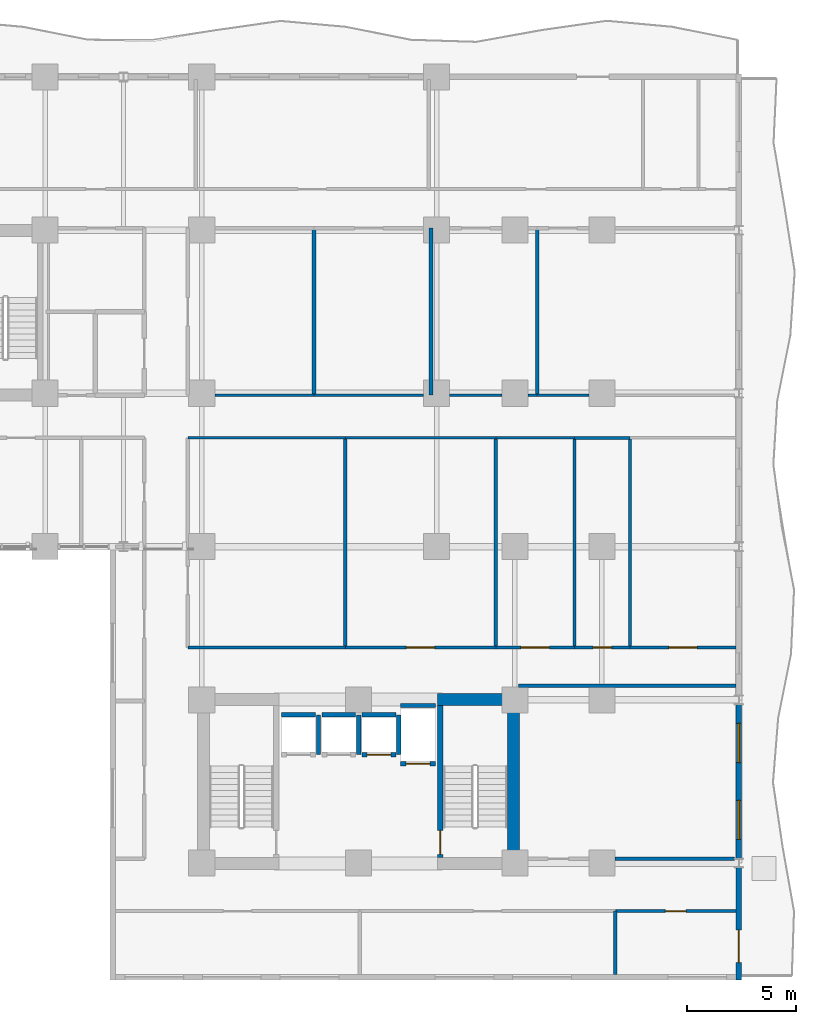
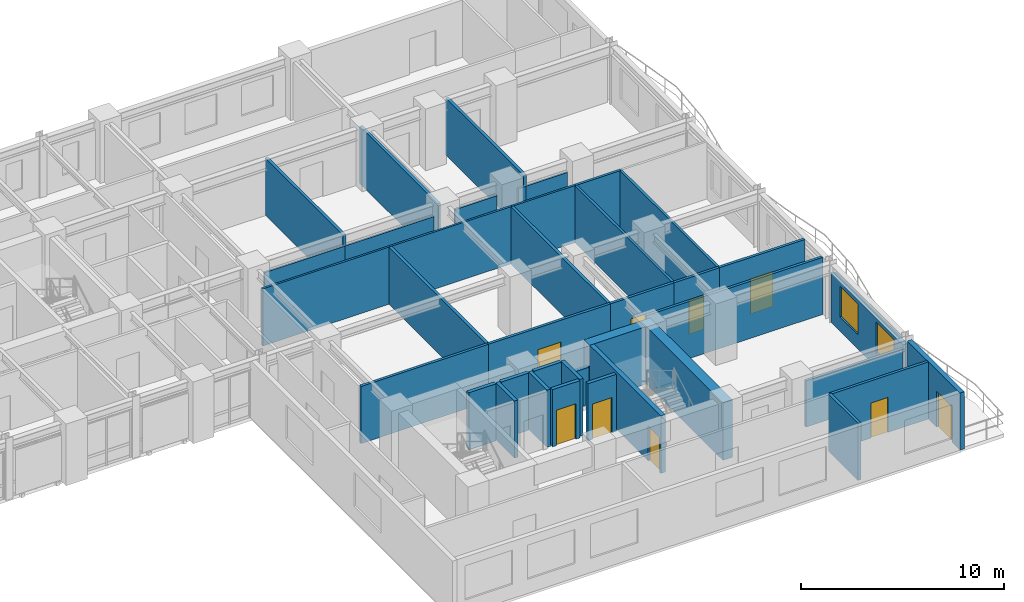
# One storey, part 10 of 16: 39 walls, 9 doors, 2 windows, 11 openings.
"""IFC4 building model written with IfcOpenShell, lengths in metres."""

import ifcopenshell
import ifcopenshell.guid

model = None  # the IFC model being written
_history = None  # IfcOwnerHistory: only IFC2X3 demands one
_inside = {}  # id of a spatial element -> (the spatial element, [elements in it])
_under = {}  # id of a project, library or spatial element -> (it, [spatial elements below it])
_declared = {}  # id of a project -> (the project, [libraries it declares])
_typed = {}  # id of a type object -> (the type object, [elements of that type])
_made_of = {}  # id of a material, layer set ... -> (it, [elements and type objects made of it])


def new_model(schema):
    """Start an empty IFC model of exactly this schema.

    Asked for "IFC4X3", IfcOpenShell would pick the latest addendum, in which some entities
    have other attributes; the version numbers below select the first issue.
    IFC2X3 requires an IfcOwnerHistory on every rooted entity: one is made here for all.
    """
    global model, _history
    if schema == "IFC4X3":
        model = ifcopenshell.file(schema_version=(4, 3, 0, 0))
    else:
        model = ifcopenshell.file(schema=schema)
    _inside.clear()
    _under.clear()
    _declared.clear()
    _typed.clear()
    _made_of.clear()
    _history = None
    if model.schema == "IFC2X3":
        org = make("IfcOrganization", Name="unknown")
        user = make(
            "IfcPersonAndOrganization",
            ThePerson=make("IfcPerson", FamilyName="unknown"),
            TheOrganization=org,
        )
        app = make(
            "IfcApplication",
            ApplicationDeveloper=org,
            Version="unknown",
            ApplicationFullName="unknown",
            ApplicationIdentifier="unknown",
        )
        _history = make(
            "IfcOwnerHistory",
            OwningUser=user,
            OwningApplication=app,
            ChangeAction="ADDED",
            CreationDate=0,
        )
    return model


def make(cls, **values):
    """One entity of the class cls with the attributes given. An attribute that is None is left unset."""
    return model.create_entity(
        cls, **{name: value for name, value in values.items() if value is not None}
    )


def rooted(cls, **values):
    """An entity with a GlobalId (a new one), such as an element, a storey or a relation."""
    return make(cls, GlobalId=ifcopenshell.guid.new(), OwnerHistory=_history, **values)


def si_unit(unit_type, name, prefix=None):
    """IfcSIUnit, for example si_unit("LENGTHUNIT", "METRE", prefix="MILLI")."""
    return make("IfcSIUnit", UnitType=unit_type, Prefix=prefix, Name=name)


def assignment(units):
    """IfcUnitAssignment: the units of a project."""
    return None if units is None else make("IfcUnitAssignment", Units=units)


def point(xyz):
    """IfcCartesianPoint."""
    return None if xyz is None else make("IfcCartesianPoint", Coordinates=xyz)


def direction(xyz):
    """IfcDirection."""
    return None if xyz is None else make("IfcDirection", DirectionRatios=xyz)


def frame(location, z_axis=None, x_axis=None):
    """IfcAxis2Placement3D, a coordinate frame: its origin and axes. An axis left out is left unset."""
    return make(
        "IfcAxis2Placement3D",
        Location=point(location),
        Axis=direction(z_axis),
        RefDirection=direction(x_axis),
    )


def frame_2d(location, x_axis=None):
    """IfcAxis2Placement2D, a coordinate frame in the plane: its origin and x axis."""
    return make(
        "IfcAxis2Placement2D", Location=point(location), RefDirection=direction(x_axis)
    )


def origin():
    """The frame at (0, 0, 0) with its axes left unset."""
    return frame((0.0, 0.0, 0.0))


def place(relative_to, where):
    """IfcLocalPlacement: puts the frame where relative to a parent placement (None: the world)."""
    return make(
        "IfcLocalPlacement", PlacementRelTo=relative_to, RelativePlacement=where
    )


def context(
    kind, dimensions, precision=None, world=None, true_north=None, identifier=None
):
    """IfcGeometricRepresentationContext, for example the 3D "Model" context."""
    return make(
        "IfcGeometricRepresentationContext",
        ContextIdentifier=identifier,
        ContextType=kind,
        CoordinateSpaceDimension=dimensions,
        Precision=precision,
        WorldCoordinateSystem=world,
        TrueNorth=true_north,
    )


def subcontext(parent, identifier, kind, view, scale=None):
    """IfcGeometricRepresentationSubContext, for example "Body" below "Model"."""
    return make(
        "IfcGeometricRepresentationSubContext",
        ContextIdentifier=identifier,
        ContextType=kind,
        ParentContext=parent,
        TargetScale=scale,
        TargetView=view,
    )


def project(units=None, contexts=None):
    """IfcProject with its units and contexts."""
    return rooted(
        "IfcProject",
        Name="project",
        RepresentationContexts=contexts,
        UnitsInContext=assignment(units),
    )


def spatial(cls, under=None, at=None, **own):
    """A site, building, storey or space (cls), placed at a placement, below another one or the project."""
    s = rooted(cls, ObjectPlacement=at, **own)
    if under is not None:
        _under.setdefault(under.id(), (under, []))[1].append(s)
    return s


def profile(cls, at=None, kind="AREA", **sizes):
    """A parametric profile (cls). Its sizes go by their IFC names, for example OverallWidth=200.0."""
    return make(cls, ProfileType=kind, Position=at, **sizes)


def rectangle(**sizes):
    """IfcRectangleProfileDef."""
    return profile("IfcRectangleProfileDef", **sizes)


def extrude(swept, where, along, depth):
    """IfcExtrudedAreaSolid: the profile swept, set in the frame where, extruded along a direction by depth."""
    return make(
        "IfcExtrudedAreaSolid",
        SweptArea=swept,
        Position=where,
        ExtrudedDirection=direction(along),
        Depth=depth,
    )


def shape(context_of_items, identifier, shape_type, items):
    """IfcShapeRepresentation: the items that make up one representation, for example the "Body"."""
    return make(
        "IfcShapeRepresentation",
        ContextOfItems=context_of_items,
        RepresentationIdentifier=identifier,
        RepresentationType=shape_type,
        Items=items,
    )


def material(Name=None, Category=None):
    """IfcMaterial."""
    return make("IfcMaterial", Name=Name, Category=Category)


def layer(
    of_material, thickness, ventilated=None, Name=None, Category=None, Priority=None
):
    """IfcMaterialLayer: one layer of a wall or slab, of a material (None: an air gap)."""
    return make(
        "IfcMaterialLayer",
        Material=of_material,
        LayerThickness=thickness,
        IsVentilated=ventilated,
        Name=Name,
        Category=Category,
        Priority=Priority,
    )


def layer_set(layers, Name=None):
    """IfcMaterialLayerSet."""
    return make("IfcMaterialLayerSet", MaterialLayers=layers, LayerSetName=Name)


def made_of(thing, what):
    """Note that an element or type object is made of a material, layer set ...; save() writes the relation."""
    if what is not None:
        _made_of.setdefault(what.id(), (what, []))[1].append(thing)
    return thing


def type_object(cls, material=None, **own):
    """A type object (cls), such as IfcWallType, which elements share."""
    return made_of(rooted(cls, **own), material)


def element(
    cls,
    number,
    at=None,
    inside=None,
    cuts=None,
    type_object=None,
    material=None,
    context=None,
    identifier="Body",
    shape_type=None,
    held_by="IfcProductDefinitionShape",
    body=None,
    shapes=None,
    **own,
):
    """One element of the class cls, such as IfcWall. Its Tag is "e" and its number.

    at: its placement. inside: the storey or other place that contains it. cuts: it is an
    opening in that element (IfcRelVoidsElement). A single representation is given by context,
    identifier, shape_type and body (its items); several are given by shapes. held_by: the class
    of the entity that holds the representations. save() writes the other relations.
    """
    e = rooted(cls, Tag="e%d" % number, ObjectPlacement=at, **own)
    if body is not None:
        shapes = [shape(context, identifier, shape_type, body)]
    if shapes is not None:
        e.Representation = make(held_by, Representations=shapes)
    if inside is not None:
        _inside.setdefault(inside.id(), (inside, []))[1].append(e)
    if cuts is not None:
        rooted(
            "IfcRelVoidsElement", RelatingBuildingElement=cuts, RelatedOpeningElement=e
        )
    if type_object is not None:
        _typed.setdefault(type_object.id(), (type_object, []))[1].append(e)
    return made_of(e, material)


def fill(opening, filler):
    """IfcRelFillsElement: the door or window that sits in an opening."""
    return rooted(
        "IfcRelFillsElement",
        RelatingOpeningElement=opening,
        RelatedBuildingElement=filler,
    )


def aggregate(whole, parts):
    """IfcRelAggregates: a whole, such as a stair, and the parts it consists of."""
    return rooted("IfcRelAggregates", RelatingObject=whole, RelatedObjects=parts)


def save(model, path):
    """Write the relations noted so far, then the file.

    IfcRelAggregates (storeys below a building ...), IfcRelContainedInSpatialStructure (elements
    in a storey), IfcRelDefinesByType, IfcRelAssociatesMaterial and IfcRelDeclares: one each for
    every whole, place, type object, material and project.
    """
    for whole, parts in _under.values():
        aggregate(whole, parts)
    for where, things in _inside.values():
        rooted(
            "IfcRelContainedInSpatialStructure",
            RelatedElements=things,
            RelatingStructure=where,
        )
    for kind, things in _typed.values():
        rooted("IfcRelDefinesByType", RelatedObjects=things, RelatingType=kind)
    for what, things in _made_of.values():
        rooted("IfcRelAssociatesMaterial", RelatedObjects=things, RelatingMaterial=what)
    for by, libraries in _declared.values():
        rooted("IfcRelDeclares", RelatingContext=by, RelatedDefinitions=libraries)
    model.write(path)


model = new_model("IFC4")

# Units and contexts
model_context = context("Model", 3, precision=1e-05, world=origin(), true_north=direction((0.0, 1.0)))
body_context = subcontext(model_context, "Body", "Model", "MODEL_VIEW")
ifc_project = project(units=[si_unit("LENGTHUNIT", "METRE"), si_unit("AREAUNIT", "SQUARE_METRE"), si_unit("VOLUMEUNIT", "CUBIC_METRE"), si_unit("PLANEANGLEUNIT", "RADIAN"), si_unit("MASSUNIT", "GRAM", prefix="KILO")], contexts=[model_context])

# Site, building, storey
site_placement = place(None, origin())
site = spatial("IfcSite", under=ifc_project, at=site_placement, CompositionType="ELEMENT")
building_placement = place(site_placement, origin())
building = spatial("IfcBuilding", under=site, at=building_placement, Name="Kaliganga Portal Commons", CompositionType="ELEMENT")
storey_placement = place(building_placement, frame((0.0, 0.0, 82.300048828125)))
storey = spatial("IfcBuildingStorey", under=building, at=storey_placement, Name="L20", CompositionType="ELEMENT", Elevation=82.300048828125)

# Walls
ifc_material_1 = material(Name="Concrete C60/75", Category="concrete")
ifc_layer_1 = layer(ifc_material_1, 0.550048828125)
ifc_layer_set_1 = layer_set([ifc_layer_1], Name="Concrete C60/75")
wall_type_1 = type_object("IfcWallType", Name="WL-CORE-550", PredefinedType="SHEAR", material=ifc_layer_set_1)
wall_1_placement = place(storey_placement, frame((50.324951171875, 6.75, 0.0), z_axis=(0.0, 0.0, 1.0), x_axis=(0.0, 1.0, 0.0)))
element("IfcWall", 1, at=wall_1_placement, inside=storey, type_object=wall_type_1, Name="Core B East Shear Wall L20", PredefinedType="SHEAR", context=body_context, shape_type="SweptSolid", body=[
    extrude(rectangle(XDim=8.10009765625, YDim=0.550048828125, at=frame_2d((4.050048828125, 0.0))), origin(), (0.0, 0.0, 1.0), 3.449951171875),
])
wall_2_placement = place(storey_placement, frame((46.85009765625, 14.574951171875, 0.0), z_axis=(0.0, 0.0, 1.0), x_axis=(1.0, 0.0, 0.0)))
element("IfcWall", 2, at=wall_2_placement, inside=storey, type_object=wall_type_1, Name="Core B N-East Shear Wall L20", PredefinedType="SHEAR", context=body_context, shape_type="SweptSolid", body=[
    extrude(rectangle(XDim=3.199951171875, YDim=0.550048828125, at=frame_2d((1.60009765625, 0.0))), origin(), (0.0, 0.0, 1.0), 3.449951171875),
])

# Wall, opening, door
ifc_material_2 = material(Name="Insulated Aluminium-Clad Spandrel Assembly", Category="aluminium")
ifc_layer_2 = layer(ifc_material_2, 0.260009765625)
ifc_layer_set_2 = layer_set([ifc_layer_2], Name="Insulated Aluminium-Clad Spandrel Assembly")
wall_type_2 = type_object("IfcWallType", Name="WL-EXT-SPAND-260", PredefinedType="STANDARD", material=ifc_layer_set_2)
wall_3_placement = place(storey_placement, frame((60.699951171875, 6.833984375, 0.0), z_axis=(0.0, 0.0, 1.0), x_axis=(0.0, -1.0, 0.0)))
wall_3 = element("IfcWall", 3, at=wall_3_placement, inside=storey, type_object=wall_type_2, Name="Exterior Envelope Wall L20 P1-E01-S1", PredefinedType="STANDARD", context=body_context, shape_type="SweptSolid", body=[
    extrude(rectangle(XDim=5.1640625, YDim=0.260009765625, at=frame_2d((2.58203125, 0.0))), origin(), (0.0, 0.0, 1.0), 3.429931640625),
])
opening_1_placement = place(wall_3_placement, frame((2.864990234375, 0.0, 0.0)))
opening_1 = element("IfcOpeningElement", 4, at=opening_1_placement, cuts=wall_3, Name="Opening BD-01", PredefinedType="OPENING", context=body_context, shape_type="SweptSolid", body=[
    extrude(rectangle(XDim=1.5, YDim=2.14990234375, at=frame_2d((0.75, 1.074951171875))), frame((0.0, 0.14013671875, 0.0), z_axis=(0.0, -1.0, 0.0), x_axis=(1.0, 0.0, 0.0)), (0.0, 0.0, 1.0), 0.280029296875),
])
ifc_material_3 = material(Name="Anodized Aluminium and Laminated Safety Glass", Category="aluminium")
door_type_1 = type_object("IfcDoorType", Name="DR-BALC-1500", OperationType="SLIDING_TO_LEFT", PredefinedType="DOOR", material=ifc_material_3)
door_1_placement = place(opening_1_placement, origin())
door_1 = element("IfcDoor", 5, at=door_1_placement, inside=storey, type_object=door_type_1, Name="Balcony Sliding Door L20 balc_east", OperationType="SLIDING_TO_LEFT", OverallHeight=2.14990234375, OverallWidth=1.5, PredefinedType="DOOR", context=body_context, shape_type="SweptSolid", body=[
    extrude(rectangle(XDim=1.5, YDim=2.14990234375, at=frame_2d((0.75, 1.074951171875))), frame((0.0, 0.02490234375, 0.0), z_axis=(0.0, -1.0, 0.0), x_axis=(1.0, 0.0, 0.0)), (0.0, 0.0, 1.0), 0.050048828125),
])
fill(opening_1, door_1)

# Wall, openings, windows
wall_4_placement = place(storey_placement, frame((60.699951171875, 14.333984375, 0.0), z_axis=(0.0, 0.0, 1.0), x_axis=(0.0, -1.0, 0.0)))
wall_4 = element("IfcWall", 6, at=wall_4_placement, inside=storey, type_object=wall_type_2, Name="Exterior Envelope Wall L20 P1-E01-S2", PredefinedType="STANDARD", context=body_context, shape_type="SweptSolid", body=[
    extrude(rectangle(XDim=7.06787109375, YDim=0.260009765625, at=frame_2d((3.533935546875, 0.0))), origin(), (0.0, 0.0, 1.0), 2.929931640625),
])
opening_2_placement = place(wall_4_placement, frame((0.866943359375, 0.0, 0.85009765625)))
opening_2 = element("IfcOpeningElement", 7, at=opening_2_placement, cuts=wall_4, Name="Opening W-01", PredefinedType="OPENING", context=body_context, shape_type="SweptSolid", body=[
    extrude(rectangle(XDim=1.800048828125, YDim=1.85009765625, at=frame_2d((0.89990234375, 0.925048828125))), frame((0.0, 0.14013671875, 0.0), z_axis=(0.0, -1.0, 0.0), x_axis=(1.0, 0.0, 0.0)), (0.0, 0.0, 1.0), 0.280029296875),
])
opening_3_placement = place(wall_4_placement, frame((4.40087890625, 0.0, 0.85009765625)))
opening_3 = element("IfcOpeningElement", 8, at=opening_3_placement, cuts=wall_4, Name="Opening W-01", PredefinedType="OPENING", context=body_context, shape_type="SweptSolid", body=[
    extrude(rectangle(XDim=1.800048828125, YDim=1.85009765625, at=frame_2d((0.89990234375, 0.925048828125))), frame((0.0, 0.14013671875, 0.0), z_axis=(0.0, -1.0, 0.0), x_axis=(1.0, 0.0, 0.0)), (0.0, 0.0, 1.0), 0.280029296875),
])
ifc_material_4 = material(Name="Thermally Broken Aluminium and Low-E Double Glazing", Category="aluminium")
window_type = type_object("IfcWindowType", Name="WIN-STD-1800", PartitioningType="DOUBLE_PANEL_VERTICAL", PredefinedType="WINDOW", material=ifc_material_4)
window_1_placement = place(opening_2_placement, origin())
window_1 = element("IfcWindow", 9, at=window_1_placement, inside=storey, type_object=window_type, Name="Facade Window L20-P1E01S2-00", OverallHeight=1.85009765625, OverallWidth=1.800048828125, PartitioningType="SINGLE_PANEL", PredefinedType="WINDOW", context=body_context, shape_type="SweptSolid", body=[
    extrude(rectangle(XDim=1.800048828125, YDim=1.85009765625, at=frame_2d((0.89990234375, 0.925048828125))), frame((0.0, 0.030029296875, 0.0), z_axis=(0.0, -1.0, 0.0), x_axis=(1.0, 0.0, 0.0)), (0.0, 0.0, 1.0), 0.06005859375),
])
fill(opening_2, window_1)
window_2_placement = place(opening_3_placement, origin())
window_2 = element("IfcWindow", 10, at=window_2_placement, inside=storey, type_object=window_type, Name="Facade Window L20-P1E01S2-01", OverallHeight=1.85009765625, OverallWidth=1.800048828125, PartitioningType="SINGLE_PANEL", PredefinedType="WINDOW", context=body_context, shape_type="SweptSolid", body=[
    extrude(rectangle(XDim=1.800048828125, YDim=1.85009765625, at=frame_2d((0.89990234375, 0.925048828125))), frame((0.0, 0.030029296875, 0.0), z_axis=(0.0, -1.0, 0.0), x_axis=(1.0, 0.0, 0.0)), (0.0, 0.0, 1.0), 0.06005859375),
])
fill(opening_3, window_2)

# Walls
ifc_material_5 = material(Name="Fire-Rated Gypsum Board on Steel Stud", Category="steel")
ifc_layer_3 = layer(ifc_material_5, 0.14990234375)
ifc_layer_set_3 = layer_set([ifc_layer_3], Name="Fire-Rated Gypsum Board on Steel Stud")
wall_type_3 = type_object("IfcWallType", Name="WL-PART-CORR-150", PredefinedType="PARTITIONING", material=ifc_layer_set_3)
wall_5_placement = place(storey_placement, frame((55.0, 7.239990234375, 0.0), z_axis=(0.0, 0.0, 1.0), x_axis=(1.0, 0.0, 0.0)))
element("IfcWall", 11, at=wall_5_placement, inside=storey, type_object=wall_type_3, Name="Interior Partition L20-005", PredefinedType="PARTITIONING", context=body_context, shape_type="SweptSolid", body=[
    extrude(rectangle(XDim=5.49560546875, YDim=0.14990234375, at=frame_2d((2.747802734375, 0.0))), origin(), (0.0, 0.0, 1.0), 2.780029296875),
])
wall_6_placement = place(storey_placement, frame((50.56005859375, 15.199951171875, 0.0), z_axis=(0.0, 0.0, 1.0), x_axis=(1.0, 0.0, 0.0)))
element("IfcWall", 12, at=wall_6_placement, inside=storey, type_object=wall_type_3, Name="Interior Partition L20-006", PredefinedType="PARTITIONING", context=body_context, shape_type="SweptSolid", body=[
    extrude(rectangle(XDim=10.008056640625, YDim=0.14990234375, at=frame_2d((5.00390625, 0.0))), origin(), (0.0, 0.0, 1.0), 3.429931640625),
])
wall_7_placement = place(storey_placement, frame((35.360107421875, 16.9599609375, 0.0), z_axis=(0.0, 0.0, 1.0), x_axis=(1.0, 0.0, 0.0)))
element("IfcWall", 13, at=wall_7_placement, inside=storey, type_object=wall_type_3, Name="Interior Partition L20-018", PredefinedType="PARTITIONING", context=body_context, shape_type="SweptSolid", body=[
    extrude(rectangle(XDim=7.239990234375, YDim=0.14990234375, at=frame_2d((3.6201171875, 0.0))), origin(), (0.0, 0.0, 1.0), 3.429931640625),
])

# Wall, opening, door
wall_8_placement = place(storey_placement, frame((42.60009765625, 16.9599609375, 0.0), z_axis=(0.0, 0.0, 1.0), x_axis=(1.0, 0.0, 0.0)))
wall_8 = element("IfcWall", 14, at=wall_8_placement, inside=storey, type_object=wall_type_3, Name="Interior Partition L20-020", PredefinedType="PARTITIONING", context=body_context, shape_type="SweptSolid", body=[
    extrude(rectangle(XDim=6.919921875, YDim=0.14990234375, at=frame_2d((3.4599609375, 0.0))), origin(), (0.0, 0.0, 1.0), 3.429931640625),
])
opening_4_placement = place(wall_8_placement, frame((2.81005859375, 0.0, 0.0)))
opening_4 = element("IfcOpeningElement", 15, at=opening_4_placement, cuts=wall_8, Name="Opening RD-03", PredefinedType="OPENING", context=body_context, shape_type="SweptSolid", body=[
    extrude(rectangle(XDim=1.300048828125, YDim=2.1201171875, at=frame_2d((0.64990234375, 1.06005859375))), frame((0.0, 0.0849609375, 0.0), z_axis=(0.0, -1.0, 0.0), x_axis=(1.0, 0.0, 0.0)), (0.0, 0.0, 1.0), 0.169921875),
])
ifc_material_6 = material(Name="Glazed Timber Seminar Vision Door", Category="wood")
door_type_2 = type_object("IfcDoorType", Name="DR-STUDY-1300", OperationType="DOUBLE_DOOR_SINGLE_SWING", PredefinedType="DOOR", material=ifc_material_6)
door_2_placement = place(opening_4_placement, origin())
door_2 = element("IfcDoor", 16, at=door_2_placement, inside=storey, type_object=door_type_2, Name="Interior Door L20-BM02", OperationType="DOUBLE_DOOR_SINGLE_SWING", OverallHeight=2.1201171875, OverallWidth=1.300048828125, PredefinedType="DOOR", context=body_context, shape_type="SweptSolid", body=[
    extrude(rectangle(XDim=1.300048828125, YDim=2.1201171875, at=frame_2d((0.64990234375, 1.06005859375))), frame((0.0, 0.02490234375, 0.0), z_axis=(0.0, -1.0, 0.0), x_axis=(1.0, 0.0, 0.0)), (0.0, 0.0, 1.0), 0.050048828125),
])
fill(opening_4, door_2)

wall_9_placement = place(storey_placement, frame((55.02001953125, 4.840087890625, 0.0), z_axis=(0.0, 0.0, 1.0), x_axis=(1.0, 0.0, 0.0)))
wall_9 = element("IfcWall", 17, at=wall_9_placement, inside=storey, type_object=wall_type_3, Name="Interior Partition L20-022", PredefinedType="PARTITIONING", context=body_context, shape_type="SweptSolid", body=[
    extrude(rectangle(XDim=5.548095703125, YDim=0.14990234375, at=frame_2d((2.77392578125, 0.0))), origin(), (0.0, 0.0, 1.0), 3.429931640625),
])
opening_5_placement = place(wall_9_placement, frame((2.299072265625, 0.0, 0.0)))
opening_5 = element("IfcOpeningElement", 18, at=opening_5_placement, cuts=wall_9, Name="Opening UD-01", PredefinedType="OPENING", context=body_context, shape_type="SweptSolid", body=[
    extrude(rectangle(XDim=0.949951171875, YDim=2.10009765625, at=frame_2d((0.47509765625, 1.050048828125))), frame((0.0, 0.0849609375, 0.0), z_axis=(0.0, -1.0, 0.0), x_axis=(1.0, 0.0, 0.0)), (0.0, 0.0, 1.0), 0.169921875),
])
ifc_material_7 = material(Name="Solid-Core Timber Acoustic Fire Door", Category="wood")
door_type_3 = type_object("IfcDoorType", Name="DR-UNIT-950", OperationType="NOTDEFINED", PredefinedType="DOOR", material=ifc_material_7)
door_3_placement = place(opening_5_placement, origin())
door_3 = element("IfcDoor", 19, at=door_3_placement, inside=storey, type_object=door_type_3, Name="Interior Door L20-BS03", OperationType="SINGLE_SWING_RIGHT", OverallHeight=2.10009765625, OverallWidth=0.949951171875, PredefinedType="DOOR", context=body_context, shape_type="SweptSolid", body=[
    extrude(rectangle(XDim=0.949951171875, YDim=2.10009765625, at=frame_2d((0.47509765625, 1.050048828125))), frame((0.0, 0.02490234375, 0.0), z_axis=(0.0, -1.0, 0.0), x_axis=(1.0, 0.0, 0.0)), (0.0, 0.0, 1.0), 0.050048828125),
])
fill(opening_5, door_3)

wall_10_placement = place(storey_placement, frame((55.699951171875, 16.9599609375, 0.0), z_axis=(0.0, 0.0, 1.0), x_axis=(1.0, 0.0, 0.0)))
wall_10 = element("IfcWall", 20, at=wall_10_placement, inside=storey, type_object=wall_type_3, Name="Interior Partition L20-025", PredefinedType="PARTITIONING", context=body_context, shape_type="SweptSolid", body=[
    extrude(rectangle(XDim=4.8681640625, YDim=0.14990234375, at=frame_2d((2.43408203125, 0.0))), origin(), (0.0, 0.0, 1.0), 3.429931640625),
])
opening_6_placement = place(wall_10_placement, frame((1.783935546875, 0.0, 0.0)))
opening_6 = element("IfcOpeningElement", 21, at=opening_6_placement, cuts=wall_10, Name="Opening RD-03", PredefinedType="OPENING", context=body_context, shape_type="SweptSolid", body=[
    extrude(rectangle(XDim=1.300048828125, YDim=2.1201171875, at=frame_2d((0.64990234375, 1.06005859375))), frame((0.0, 0.0849609375, 0.0), z_axis=(0.0, -1.0, 0.0), x_axis=(1.0, 0.0, 0.0)), (0.0, 0.0, 1.0), 0.169921875),
])
door_4_placement = place(opening_6_placement, origin())
door_4 = element("IfcDoor", 22, at=door_4_placement, inside=storey, type_object=door_type_2, Name="Interior Door L20-BM05", OperationType="DOUBLE_DOOR_SINGLE_SWING", OverallHeight=2.1201171875, OverallWidth=1.300048828125, PredefinedType="DOOR", context=body_context, shape_type="SweptSolid", body=[
    extrude(rectangle(XDim=1.300048828125, YDim=2.1201171875, at=frame_2d((0.64990234375, 1.06005859375))), frame((0.0, 0.02490234375, 0.0), z_axis=(0.0, -1.0, 0.0), x_axis=(1.0, 0.0, 0.0)), (0.0, 0.0, 1.0), 0.050048828125),
])
fill(opening_6, door_4)

wall_11_placement = place(storey_placement, frame((49.52001953125, 16.9599609375, 0.0), z_axis=(0.0, 0.0, 1.0), x_axis=(1.0, 0.0, 0.0)))
wall_11 = element("IfcWall", 23, at=wall_11_placement, inside=storey, type_object=wall_type_3, Name="Interior Partition L20-032", PredefinedType="PARTITIONING", context=body_context, shape_type="SweptSolid", body=[
    extrude(rectangle(XDim=3.619873046875, YDim=0.14990234375, at=frame_2d((1.81005859375, 0.0))), origin(), (0.0, 0.0, 1.0), 3.429931640625),
])
opening_7_placement = place(wall_11_placement, frame((1.159912109375, 0.0, 0.0)))
opening_7 = element("IfcOpeningElement", 24, at=opening_7_placement, cuts=wall_11, Name="Opening RD-03", PredefinedType="OPENING", context=body_context, shape_type="SweptSolid", body=[
    extrude(rectangle(XDim=1.300048828125, YDim=2.1201171875, at=frame_2d((0.64990234375, 1.06005859375))), frame((0.0, 0.0849609375, 0.0), z_axis=(0.0, -1.0, 0.0), x_axis=(1.0, 0.0, 0.0)), (0.0, 0.0, 1.0), 0.169921875),
])
door_5_placement = place(opening_7_placement, origin())
door_5 = element("IfcDoor", 25, at=door_5_placement, inside=storey, type_object=door_type_2, Name="Interior Door L20-BM03", OperationType="DOUBLE_DOOR_SINGLE_SWING", OverallHeight=2.1201171875, OverallWidth=1.300048828125, PredefinedType="DOOR", context=body_context, shape_type="SweptSolid", body=[
    extrude(rectangle(XDim=1.300048828125, YDim=2.1201171875, at=frame_2d((0.64990234375, 1.06005859375))), frame((0.0, 0.02490234375, 0.0), z_axis=(0.0, -1.0, 0.0), x_axis=(1.0, 0.0, 0.0)), (0.0, 0.0, 1.0), 0.050048828125),
])
fill(opening_7, door_5)

wall_12_placement = place(storey_placement, frame((53.139892578125, 16.9599609375, 0.0), z_axis=(0.0, 0.0, 1.0), x_axis=(1.0, 0.0, 0.0)))
wall_12 = element("IfcWall", 26, at=wall_12_placement, inside=storey, type_object=wall_type_3, Name="Interior Partition L20-036", PredefinedType="PARTITIONING", context=body_context, shape_type="SweptSolid", body=[
    extrude(rectangle(XDim=2.56005859375, YDim=0.14990234375, at=frame_2d((1.280029296875, 0.0))), origin(), (0.0, 0.0, 1.0), 3.429931640625),
])
opening_8_placement = place(wall_12_placement, frame((0.85498046875, 0.0, 0.0)))
opening_8 = element("IfcOpeningElement", 27, at=opening_8_placement, cuts=wall_12, Name="Opening WD-01", PredefinedType="OPENING", context=body_context, shape_type="SweptSolid", body=[
    extrude(rectangle(XDim=0.85009765625, YDim=2.0400390625, at=frame_2d((0.425048828125, 1.02001953125))), frame((0.0, 0.0849609375, 0.0), z_axis=(0.0, -1.0, 0.0), x_axis=(1.0, 0.0, 0.0)), (0.0, 0.0, 1.0), 0.169921875),
])
ifc_material_8 = material(Name="Moisture-Resistant Laminate Timber Door", Category="wood")
door_type_4 = type_object("IfcDoorType", Name="DR-WET-850", OperationType="NOTDEFINED", PredefinedType="DOOR", material=ifc_material_8)
door_6_placement = place(opening_8_placement, origin())
door_6 = element("IfcDoor", 28, at=door_6_placement, inside=storey, type_object=door_type_4, Name="Interior Door L20-BM04", OperationType="SINGLE_SWING_LEFT", OverallHeight=2.0400390625, OverallWidth=0.85009765625, PredefinedType="DOOR", context=body_context, shape_type="SweptSolid", body=[
    extrude(rectangle(XDim=0.85009765625, YDim=2.0400390625, at=frame_2d((0.425048828125, 1.02001953125))), frame((0.0, 0.02490234375, 0.0), z_axis=(0.0, -1.0, 0.0), x_axis=(1.0, 0.0, 0.0)), (0.0, 0.0, 1.0), 0.050048828125),
])
fill(opening_8, door_6)

# Walls
ifc_material_9 = material(Name="Moisture-Resistant Gypsum Partition", Category="gypsum")
ifc_layer_4 = layer(ifc_material_9, 0.114990234375)
ifc_layer_set_4 = layer_set([ifc_layer_4], Name="Moisture-Resistant Gypsum Partition")
wall_type_4 = type_object("IfcWallType", Name="WL-PART-ROOM-115", PredefinedType="PARTITIONING", material=ifc_layer_set_4)
wall_13_placement = place(storey_placement, frame((51.419921875, 28.56005859375, 0.0), z_axis=(0.0, 0.0, 1.0), x_axis=(1.0, 0.0, 0.0)))
element("IfcWall", 29, at=wall_13_placement, inside=storey, type_object=wall_type_4, Name="Interior Partition L20-050", PredefinedType="PARTITIONING", context=body_context, shape_type="SweptSolid", body=[
    extrude(rectangle(XDim=2.380126953125, YDim=0.114990234375, at=frame_2d((1.18994140625, 0.0))), origin(), (0.0, 0.0, 1.0), 2.780029296875),
])
wall_14_placement = place(storey_placement, frame((35.360107421875, 26.60009765625, 0.0), z_axis=(0.0, 0.0, 1.0), x_axis=(1.0, 0.0, 0.0)))
element("IfcWall", 30, at=wall_14_placement, inside=storey, type_object=wall_type_4, Name="Interior Partition L20-055", PredefinedType="PARTITIONING", context=body_context, shape_type="SweptSolid", body=[
    extrude(rectangle(XDim=7.239990234375, YDim=0.114990234375, at=frame_2d((3.6201171875, 0.0))), origin(), (0.0, 0.0, 1.0), 3.429931640625),
])
wall_15_placement = place(storey_placement, frame((42.60009765625, 26.60009765625, 0.0), z_axis=(0.0, 0.0, 1.0), x_axis=(1.0, 0.0, 0.0)))
element("IfcWall", 31, at=wall_15_placement, inside=storey, type_object=wall_type_4, Name="Interior Partition L20-056", PredefinedType="PARTITIONING", context=body_context, shape_type="SweptSolid", body=[
    extrude(rectangle(XDim=6.919921875, YDim=0.114990234375, at=frame_2d((3.4599609375, 0.0))), origin(), (0.0, 0.0, 1.0), 3.429931640625),
])
wall_16_placement = place(storey_placement, frame((36.60009765625, 28.56005859375, 0.0), z_axis=(0.0, 0.0, 1.0), x_axis=(1.0, 0.0, 0.0)))
element("IfcWall", 32, at=wall_16_placement, inside=storey, type_object=wall_type_4, Name="Interior Partition L20-057", PredefinedType="PARTITIONING", context=body_context, shape_type="SweptSolid", body=[
    extrude(rectangle(XDim=4.559814453125, YDim=0.114990234375, at=frame_2d((2.27978515625, 0.0))), origin(), (0.0, 0.0, 1.0), 2.780029296875),
])
wall_17_placement = place(storey_placement, frame((41.159912109375, 28.56005859375, 0.0), z_axis=(0.0, 0.0, 1.0), x_axis=(1.0, 0.0, 0.0)))
element("IfcWall", 33, at=wall_17_placement, inside=storey, type_object=wall_type_4, Name="Interior Partition L20-058", PredefinedType="PARTITIONING", context=body_context, shape_type="SweptSolid", body=[
    extrude(rectangle(XDim=5.0400390625, YDim=0.114990234375, at=frame_2d((2.52001953125, 0.0))), origin(), (0.0, 0.0, 1.0), 2.780029296875),
])
wall_18_placement = place(storey_placement, frame((47.39990234375, 28.56005859375, 0.0), z_axis=(0.0, 0.0, 1.0), x_axis=(1.0, 0.0, 0.0)))
element("IfcWall", 34, at=wall_18_placement, inside=storey, type_object=wall_type_4, Name="Interior Partition L20-069", PredefinedType="PARTITIONING", context=body_context, shape_type="SweptSolid", body=[
    extrude(rectangle(XDim=2.400146484375, YDim=0.114990234375, at=frame_2d((1.2001953125, 0.0))), origin(), (0.0, 0.0, 1.0), 2.780029296875),
])
wall_19_placement = place(storey_placement, frame((51.0, 28.56005859375, 0.0), z_axis=(0.0, 0.0, 1.0), x_axis=(1.0, 0.0, 0.0)))
element("IfcWall", 35, at=wall_19_placement, inside=storey, type_object=wall_type_4, Name="Interior Partition L20-070", PredefinedType="PARTITIONING", context=body_context, shape_type="SweptSolid", body=[
    extrude(rectangle(XDim=0.419921875, YDim=0.114990234375, at=frame_2d((0.2099609375, 0.0))), origin(), (0.0, 0.0, 1.0), 2.780029296875),
])
wall_20_placement = place(storey_placement, frame((49.52001953125, 26.60009765625, 0.0), z_axis=(0.0, 0.0, 1.0), x_axis=(1.0, 0.0, 0.0)))
element("IfcWall", 36, at=wall_20_placement, inside=storey, type_object=wall_type_4, Name="Interior Partition L20-072", PredefinedType="PARTITIONING", context=body_context, shape_type="SweptSolid", body=[
    extrude(rectangle(XDim=3.619873046875, YDim=0.114990234375, at=frame_2d((1.81005859375, 0.0))), origin(), (0.0, 0.0, 1.0), 3.429931640625),
])
ifc_material_10 = material(Name="Twin-Stud Acoustic Gypsum Partition", Category="gypsum")
ifc_layer_5 = layer(ifc_material_10, 0.1650390625)
ifc_layer_set_5 = layer_set([ifc_layer_5], Name="Twin-Stud Acoustic Gypsum Partition")
wall_type_5 = type_object("IfcWallType", Name="WL-PART-UNIT-165", PredefinedType="PARTITIONING", material=ifc_layer_set_5)
for number, where, z_axis, x_axis, name in (
    (37, (42.60009765625, 16.9599609375, 0.0), (0.0, 0.0, 1.0), (0.0, 1.0, 0.0), "Interior Partition L20-046"),
    (38, (49.52001953125, 16.9599609375, 0.0), (0.0, 0.0, 1.0), (0.0, 1.0, 0.0), "Interior Partition L20-047"),
):
    element("IfcWall", number, at=place(storey_placement, frame(where, z_axis=z_axis, x_axis=x_axis)), inside=storey, type_object=wall_type_5, Name=name, PredefinedType="PARTITIONING", context=body_context, shape_type="SweptSolid", body=[
        extrude(rectangle(XDim=9.64013671875, YDim=0.1650390625, at=frame_2d((4.820068359375, 0.0))), origin(), (0.0, 0.0, 1.0), 3.429931640625),
    ])
for number, where, z_axis, x_axis, name in (
    (39, (41.159912109375, 28.56005859375, 0.0), (0.0, 0.0, 1.0), (0.0, 1.0, 0.0), "Interior Partition L20-052"),
    (40, (46.5400390625, 28.56005859375, 0.0), (0.0, 0.0, 1.0), (0.0, 1.0, 0.0), "Interior Partition L20-053"),
    (41, (51.419921875, 28.56005859375, 0.0), (0.0, 0.0, 1.0), (0.0, 1.0, 0.0), "Interior Partition L20-054"),
):
    element("IfcWall", number, at=place(storey_placement, frame(where, z_axis=z_axis, x_axis=x_axis)), inside=storey, type_object=wall_type_5, Name=name, PredefinedType="PARTITIONING", context=body_context, shape_type="SweptSolid", body=[
        extrude(rectangle(XDim=7.679931640625, YDim=0.1650390625, at=frame_2d((3.83984375, 0.0))), origin(), (0.0, 0.0, 1.0), 3.429931640625),
    ])
wall_21_placement = place(storey_placement, frame((55.02001953125, 1.931884765625, 0.0), z_axis=(0.0, 0.0, 1.0), x_axis=(0.0, 1.0, 0.0)))
element("IfcWall", 42, at=wall_21_placement, inside=storey, type_object=wall_type_5, Name="Interior Partition L20-075", PredefinedType="PARTITIONING", context=body_context, shape_type="SweptSolid", body=[
    extrude(rectangle(XDim=2.908203125, YDim=0.1650390625, at=frame_2d((1.4541015625, 0.0))), origin(), (0.0, 0.0, 1.0), 3.429931640625),
])
ifc_material_11 = material(Name="Cement-Board Wet-Room Partition", Category="gypsum")
ifc_layer_6 = layer(ifc_material_11, 0.135009765625)
ifc_layer_set_6 = layer_set([ifc_layer_6], Name="Cement-Board Wet-Room Partition")
wall_type_6 = type_object("IfcWallType", Name="WL-PART-WET-135", PredefinedType="PARTITIONING", material=ifc_layer_set_6)
for number, where, z_axis, x_axis, name in (
    (43, (53.139892578125, 16.9599609375, 0.0), (0.0, 0.0, 1.0), (0.0, 1.0, 0.0), "Interior Partition L20-048"),
    (44, (55.699951171875, 16.9599609375, 0.0), (0.0, 0.0, 1.0), (0.0, 1.0, 0.0), "Interior Partition L20-049"),
):
    element("IfcWall", number, at=place(storey_placement, frame(where, z_axis=z_axis, x_axis=x_axis)), inside=storey, type_object=wall_type_6, Name=name, PredefinedType="PARTITIONING", context=body_context, shape_type="SweptSolid", body=[
        extrude(rectangle(XDim=9.64013671875, YDim=0.135009765625, at=frame_2d((4.820068359375, 0.0))), origin(), (0.0, 0.0, 1.0), 3.429931640625),
    ])
wall_22_placement = place(storey_placement, frame((53.139892578125, 26.60009765625, 0.0), z_axis=(0.0, 0.0, 1.0), x_axis=(1.0, 0.0, 0.0)))
element("IfcWall", 45, at=wall_22_placement, inside=storey, type_object=wall_type_6, Name="Interior Partition L20-077", PredefinedType="PARTITIONING", context=body_context, shape_type="SweptSolid", body=[
    extrude(rectangle(XDim=2.56005859375, YDim=0.135009765625, at=frame_2d((1.280029296875, 0.0))), origin(), (0.0, 0.0, 1.0), 3.429931640625),
])
ifc_material_12 = material(Name="Fire-Rated Shaftwall Masonry Assembly", Category="masonry")
ifc_layer_7 = layer(ifc_material_12, 0.199951171875)
ifc_layer_set_7 = layer_set([ifc_layer_7], Name="Fire-Rated Shaftwall Masonry Assembly")
wall_type_7 = type_object("IfcWallType", Name="WL-SHAFT-200", PredefinedType="PARTITIONING", material=ifc_layer_set_7)
wall_23_placement = place(storey_placement, frame((39.675048828125, 13.864990234375, 0.0), z_axis=(0.0, 0.0, 1.0), x_axis=(1.0, 0.0, 0.0)))
element("IfcWall", 46, at=wall_23_placement, inside=storey, type_object=wall_type_7, Name="Lift PL-B1 Hoistway Shaft Wall L20-N", PredefinedType="PARTITIONING", context=body_context, shape_type="SweptSolid", body=[
    extrude(rectangle(XDim=1.550048828125, YDim=0.199951171875, at=frame_2d((0.77490234375, 0.0))), origin(), (0.0, 0.0, 1.0), 3.429931640625),
])
wall_24_placement = place(storey_placement, frame((41.364990234375, 12.034912109375, 0.0), z_axis=(0.0, 0.0, 1.0), x_axis=(0.0, 1.0, 0.0)))
element("IfcWall", 47, at=wall_24_placement, inside=storey, type_object=wall_type_7, Name="Lift PL-B1 Hoistway Shaft Wall L20-E", PredefinedType="PARTITIONING", context=body_context, shape_type="SweptSolid", body=[
    extrude(rectangle(XDim=1.830078125, YDim=0.199951171875, at=frame_2d((0.9150390625, 0.0))), origin(), (0.0, 0.0, 1.0), 3.429931640625),
])
wall_25_placement = place(storey_placement, frame((41.52490234375, 13.864990234375, 0.0), z_axis=(0.0, 0.0, 1.0), x_axis=(1.0, 0.0, 0.0)))
element("IfcWall", 48, at=wall_25_placement, inside=storey, type_object=wall_type_7, Name="Lift PL-B2 Hoistway Shaft Wall L20-N", PredefinedType="PARTITIONING", context=body_context, shape_type="SweptSolid", body=[
    extrude(rectangle(XDim=1.550048828125, YDim=0.199951171875, at=frame_2d((0.77490234375, 0.0))), origin(), (0.0, 0.0, 1.0), 3.429931640625),
])
wall_26_placement = place(storey_placement, frame((43.215087890625, 12.034912109375, 0.0), z_axis=(0.0, 0.0, 1.0), x_axis=(0.0, 1.0, 0.0)))
element("IfcWall", 49, at=wall_26_placement, inside=storey, type_object=wall_type_7, Name="Lift PL-B2 Hoistway Shaft Wall L20-E", PredefinedType="PARTITIONING", context=body_context, shape_type="SweptSolid", body=[
    extrude(rectangle(XDim=1.830078125, YDim=0.199951171875, at=frame_2d((0.9150390625, 0.0))), origin(), (0.0, 0.0, 1.0), 3.429931640625),
])

# Wall, opening, door
wall_27_placement = place(storey_placement, frame((43.375, 12.034912109375, 0.0), z_axis=(0.0, 0.0, 1.0), x_axis=(1.0, 0.0, 0.0)))
wall_27 = element("IfcWall", 50, at=wall_27_placement, inside=storey, type_object=wall_type_7, Name="Lift SH-2 Hoistway Shaft Wall L20-S", PredefinedType="PARTITIONING", context=body_context, shape_type="SweptSolid", body=[
    extrude(rectangle(XDim=1.550048828125, YDim=0.199951171875, at=frame_2d((0.77490234375, 0.0))), origin(), (0.0, 0.0, 1.0), 3.429931640625),
])
opening_9_placement = place(wall_27_placement, frame((0.22509765625, 0.0, 0.0)))
opening_9 = element("IfcOpeningElement", 51, at=opening_9_placement, cuts=wall_27, Name="Opening LD-01", PredefinedType="OPENING", context=body_context, shape_type="SweptSolid", body=[
    extrude(rectangle(XDim=1.10009765625, YDim=2.1201171875, at=frame_2d((0.550048828125, 1.06005859375))), frame((0.0, 0.10986328125, 0.0), z_axis=(0.0, -1.0, 0.0), x_axis=(1.0, 0.0, 0.0)), (0.0, 0.0, 1.0), 0.219970703125),
])
ifc_material_13 = material(Name="Brushed Stainless Steel 316 Lift Landing Door", Category="steel")
door_type_5 = type_object("IfcDoorType", Name="DR-LIFT-1100", OperationType="SLIDING_TO_LEFT", PredefinedType="DOOR", material=ifc_material_13)
door_7_placement = place(opening_9_placement, origin())
door_7 = element("IfcDoor", 52, at=door_7_placement, inside=storey, type_object=door_type_5, Name="Lift SH-2 Sliding Landing Door L20", OperationType="SLIDING_TO_LEFT", OverallHeight=2.1201171875, OverallWidth=1.10009765625, PredefinedType="DOOR", context=body_context, shape_type="SweptSolid", body=[
    extrude(rectangle(XDim=1.10009765625, YDim=2.1201171875, at=frame_2d((0.550048828125, 1.06005859375))), frame((0.0, 0.02490234375, 0.0), z_axis=(0.0, -1.0, 0.0), x_axis=(1.0, 0.0, 0.0)), (0.0, 0.0, 1.0), 0.050048828125),
])
fill(opening_9, door_7)

# Walls
wall_28_placement = place(storey_placement, frame((43.375, 13.864990234375, 0.0), z_axis=(0.0, 0.0, 1.0), x_axis=(1.0, 0.0, 0.0)))
element("IfcWall", 53, at=wall_28_placement, inside=storey, type_object=wall_type_7, Name="Lift SH-2 Hoistway Shaft Wall L20-N", PredefinedType="PARTITIONING", context=body_context, shape_type="SweptSolid", body=[
    extrude(rectangle(XDim=1.550048828125, YDim=0.199951171875, at=frame_2d((0.77490234375, 0.0))), origin(), (0.0, 0.0, 1.0), 3.429931640625),
])
wall_29_placement = place(storey_placement, frame((45.06494140625, 12.034912109375, 0.0), z_axis=(0.0, 0.0, 1.0), x_axis=(0.0, 1.0, 0.0)))
element("IfcWall", 54, at=wall_29_placement, inside=storey, type_object=wall_type_7, Name="Lift SH-2 Hoistway Shaft Wall L20-E", PredefinedType="PARTITIONING", context=body_context, shape_type="SweptSolid", body=[
    extrude(rectangle(XDim=1.830078125, YDim=0.199951171875, at=frame_2d((0.9150390625, 0.0))), origin(), (0.0, 0.0, 1.0), 3.429931640625),
])

# Wall, opening, door
wall_30_placement = place(storey_placement, frame((45.14990234375, 11.610107421875, 0.0), z_axis=(0.0, 0.0, 1.0), x_axis=(1.0, 0.0, 0.0)))
wall_30 = element("IfcWall", 55, at=wall_30_placement, inside=storey, type_object=wall_type_7, Name="Lift SL-B1 Hoistway Shaft Wall L20-S", PredefinedType="PARTITIONING", context=body_context, shape_type="SweptSolid", body=[
    extrude(rectangle(XDim=1.60009765625, YDim=0.199951171875, at=frame_2d((0.800048828125, 0.0))), origin(), (0.0, 0.0, 1.0), 3.429931640625),
])
opening_10_placement = place(wall_30_placement, frame((0.25, 0.0, 0.0)))
opening_10 = element("IfcOpeningElement", 56, at=opening_10_placement, cuts=wall_30, Name="Opening LD-01", PredefinedType="OPENING", context=body_context, shape_type="SweptSolid", body=[
    extrude(rectangle(XDim=1.10009765625, YDim=2.1201171875, at=frame_2d((0.550048828125, 1.06005859375))), frame((0.0, 0.10986328125, 0.0), z_axis=(0.0, -1.0, 0.0), x_axis=(1.0, 0.0, 0.0)), (0.0, 0.0, 1.0), 0.219970703125),
])
door_8_placement = place(opening_10_placement, origin())
door_8 = element("IfcDoor", 57, at=door_8_placement, inside=storey, type_object=door_type_5, Name="Lift SL-B1 Sliding Landing Door L20", OperationType="SLIDING_TO_LEFT", OverallHeight=2.1201171875, OverallWidth=1.10009765625, PredefinedType="DOOR", context=body_context, shape_type="SweptSolid", body=[
    extrude(rectangle(XDim=1.10009765625, YDim=2.1201171875, at=frame_2d((0.550048828125, 1.06005859375))), frame((0.0, 0.02490234375, 0.0), z_axis=(0.0, -1.0, 0.0), x_axis=(1.0, 0.0, 0.0)), (0.0, 0.0, 1.0), 0.050048828125),
])
fill(opening_10, door_8)

# Wall
wall_31_placement = place(storey_placement, frame((45.14990234375, 14.2900390625, 0.0), z_axis=(0.0, 0.0, 1.0), x_axis=(1.0, 0.0, 0.0)))
element("IfcWall", 58, at=wall_31_placement, inside=storey, type_object=wall_type_7, Name="Lift SL-B1 Hoistway Shaft Wall L20-N", PredefinedType="PARTITIONING", context=body_context, shape_type="SweptSolid", body=[
    extrude(rectangle(XDim=1.60009765625, YDim=0.199951171875, at=frame_2d((0.800048828125, 0.0))), origin(), (0.0, 0.0, 1.0), 2.22998046875),
])

# Wall, opening, door
ifc_material_14 = material(Name="Concrete C50/60", Category="concrete")
ifc_layer_8 = layer(ifc_material_14, 0.25)
ifc_layer_set_8 = layer_set([ifc_layer_8], Name="Concrete C50/60")
wall_type_8 = type_object("IfcWallType", Name="WL-STAIR-250", PredefinedType="SHEAR", material=ifc_layer_set_8)
wall_32_placement = place(storey_placement, frame((46.97509765625, 7.300048828125, 0.0), z_axis=(0.0, 0.0, 1.0), x_axis=(0.0, 1.0, 0.0)))
wall_32 = element("IfcWall", 59, at=wall_32_placement, inside=storey, type_object=wall_type_8, Name="Stair B2 Enclosure Shear Wall L20", PredefinedType="SHEAR", context=body_context, shape_type="SweptSolid", body=[
    extrude(rectangle(XDim=7.0, YDim=0.25, at=frame_2d((3.5, 0.0))), origin(), (0.0, 0.0, 1.0), 3.449951171875),
])
opening_11_placement = place(wall_32_placement, frame((0.14990234375, 0.0, 0.0)))
opening_11 = element("IfcOpeningElement", 60, at=opening_11_placement, cuts=wall_32, Name="Opening SD-01", PredefinedType="OPENING", context=body_context, shape_type="SweptSolid", body=[
    extrude(rectangle(XDim=1.10009765625, YDim=2.080078125, at=frame_2d((0.550048828125, 1.0400390625))), frame((0.0, 0.135009765625, 0.0), z_axis=(0.0, -1.0, 0.0), x_axis=(1.0, 0.0, 0.0)), (0.0, 0.0, 1.0), 0.27001953125),
])
ifc_material_15 = material(Name="Galvanized Steel Fire Door Leaf and Frame", Category="steel")
door_type_6 = type_object("IfcDoorType", Name="DR-STAIR-1100", OperationType="NOTDEFINED", PredefinedType="DOOR", material=ifc_material_15)
door_9_placement = place(opening_11_placement, origin())
door_9 = element("IfcDoor", 61, at=door_9_placement, inside=storey, type_object=door_type_6, Name="Protected Stair ST-B2 Fire Door L20", OperationType="SINGLE_SWING_LEFT", OverallHeight=2.080078125, OverallWidth=1.10009765625, PredefinedType="DOOR", context=body_context, shape_type="SweptSolid", body=[
    extrude(rectangle(XDim=1.10009765625, YDim=2.080078125, at=frame_2d((0.550048828125, 1.0400390625))), frame((0.0, 0.02490234375, 0.0), z_axis=(0.0, -1.0, 0.0), x_axis=(1.0, 0.0, 0.0)), (0.0, 0.0, 1.0), 0.050048828125),
])
fill(opening_11, door_9)

save(model, "model.ifc")
